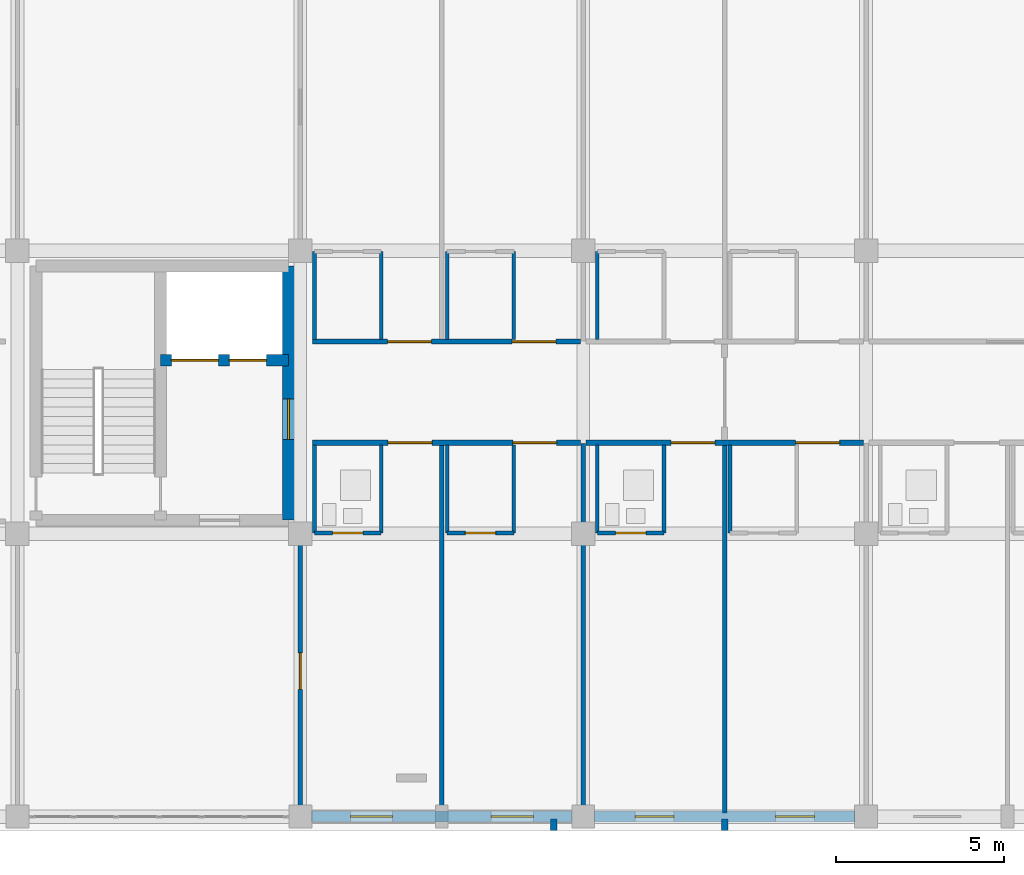
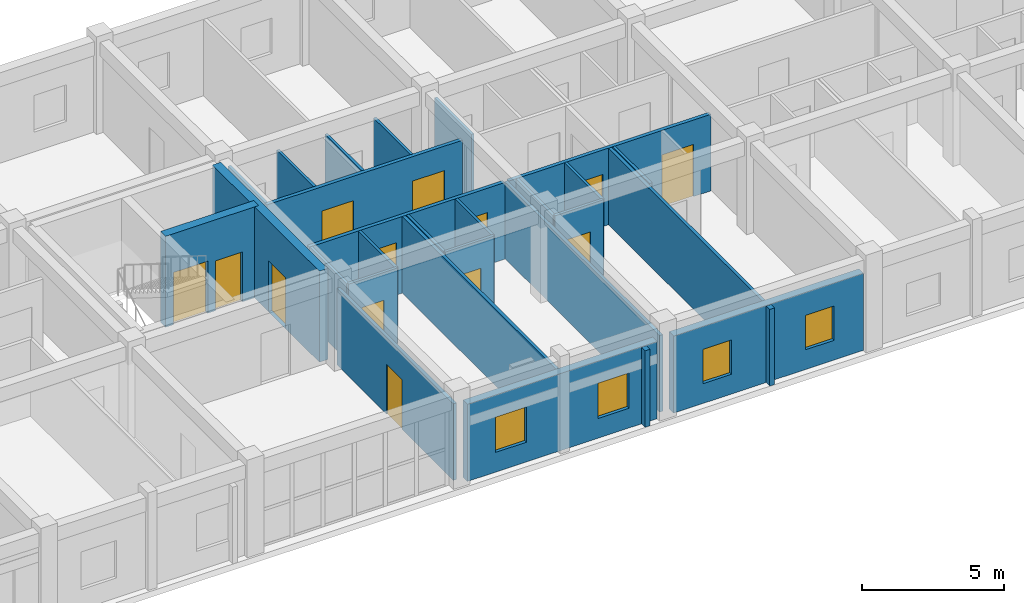
# One storey, part 108 of 140: 28 walls, 13 doors, 4 windows, 17 openings.
"""IFC4 building model written with IfcOpenShell, lengths in metres."""

from ifc_helpers import new_model, si_unit, direction, frame, frame_2d, origin, place, context, subcontext, project, spatial, rectangle, extrude, material, layer, layer_set, type_object, element, fill, save


model = new_model("IFC4")

# Units and contexts
model_context = context("Model", 3, precision=1e-05, world=origin(), true_north=direction((0.0, 1.0)))
body_context = subcontext(model_context, "Body", "Model", "MODEL_VIEW")
ifc_project = project(units=[si_unit("LENGTHUNIT", "METRE"), si_unit("AREAUNIT", "SQUARE_METRE"), si_unit("VOLUMEUNIT", "CUBIC_METRE"), si_unit("PLANEANGLEUNIT", "RADIAN"), si_unit("MASSUNIT", "GRAM", prefix="KILO")], contexts=[model_context])

# Site, building, storey
site_placement = place(None, origin())
site = spatial("IfcSite", under=ifc_project, at=site_placement, CompositionType="ELEMENT")
building_placement = place(site_placement, origin())
building = spatial("IfcBuilding", under=site, at=building_placement, Name="Trelvath General Hospital", CompositionType="ELEMENT")
storey_placement = place(building_placement, frame((0.0, 0.0, 16.199951171875)))
storey = spatial("IfcBuildingStorey", under=building, at=storey_placement, Name="L04", CompositionType="ELEMENT", Elevation=16.199951171875)

# Walls
ifc_material_1 = material(Name="Precast concrete C40/50", Category="concrete")
ifc_layer_1 = layer(ifc_material_1, 0.199951171875)
ifc_layer_set_1 = layer_set([ifc_layer_1], Name="Precast concrete C40/50")
wall_type_1 = type_object("IfcWallType", Name="BriseSoleilRib 200", PredefinedType="ELEMENTEDWALL", material=ifc_layer_set_1)
for number, where, z_axis, x_axis, name in (
    (1, (57.923828125, -0.074951171875, 0.0), (0.0, 0.0, 1.0), (0.0, -1.0, 0.0), "Precast Concrete Brise-Soleil Rib Fin L04-322"),
    (2, (63.0, -0.074951171875, 0.0), (0.0, 0.0, 1.0), (0.0, -1.0, 0.0), "Precast Concrete Brise-Soleil Rib Fin L04-326"),
):
    element("IfcWall", number, at=place(storey_placement, frame(where, z_axis=z_axis, x_axis=x_axis)), inside=storey, type_object=wall_type_1, Name=name, PredefinedType="ELEMENTEDWALL", context=body_context, shape_type="SweptSolid", body=[
        extrude(rectangle(XDim=0.340087890625, YDim=0.199951171875, at=frame_2d((0.169921875, 0.0))), origin(), (0.0, 0.0, 1.0), 3.300048828125),
    ])

# Wall, openings, doors
ifc_material_2 = material(Name="Gypsum acoustic steel-stud partition", Category="steel")
ifc_layer_2 = layer(ifc_material_2, 0.14990234375)
ifc_layer_set_2 = layer_set([ifc_layer_2], Name="Gypsum acoustic steel-stud partition")
wall_type_2 = type_object("IfcWallType", Name="ClinicalPartition 150", PredefinedType="PARTITIONING", material=ifc_layer_set_2)
wall_1_placement = place(storey_placement, frame((50.760009765625, 11.10009765625, 0.0), z_axis=(0.0, 0.0, 1.0), x_axis=(1.0, 0.0, 0.0)))
wall_1 = element("IfcWall", 3, at=wall_1_placement, inside=storey, type_object=wall_type_2, Name="Corridor Partition L04-1447", PredefinedType="PARTITIONING", context=body_context, shape_type="SweptSolid", body=[
    extrude(rectangle(XDim=7.9599609375, YDim=0.14990234375, at=frame_2d((3.97998046875, 0.0))), origin(), (0.0, 0.0, 1.0), 3.300048828125),
])
opening_1_placement = place(wall_1_placement, frame((2.25, 0.0, 0.0)))
opening_1 = element("IfcOpeningElement", 4, at=opening_1_placement, cuts=wall_1, Name="Opening D-4-1014", PredefinedType="OPENING", context=body_context, shape_type="SweptSolid", body=[
    extrude(rectangle(XDim=1.300048828125, YDim=2.25, at=frame_2d((0.64990234375, 1.125))), frame((0.0, 0.0849609375, 0.0), z_axis=(0.0, -1.0, 0.0), x_axis=(1.0, 0.0, 0.0)), (0.0, 0.0, 1.0), 0.169921875),
])
opening_2_placement = place(wall_1_placement, frame((5.949951171875, 0.0, 0.0)))
opening_2 = element("IfcOpeningElement", 5, at=opening_2_placement, cuts=wall_1, Name="Opening D-4-1015", PredefinedType="OPENING", context=body_context, shape_type="SweptSolid", body=[
    extrude(rectangle(XDim=1.300048828125, YDim=2.25, at=frame_2d((0.64990234375, 1.125))), frame((0.0, 0.0849609375, 0.0), z_axis=(0.0, -1.0, 0.0), x_axis=(1.0, 0.0, 0.0)), (0.0, 0.0, 1.0), 0.169921875),
])
ifc_material_3 = material(Name="Hospital bed-leaf timber door", Category="wood")
door_type_1 = type_object("IfcDoorType", Name="Door PatientBed 1300x2250", OperationType="NOTDEFINED", PredefinedType="DOOR", material=ifc_material_3)
door_1_placement = place(opening_1_placement, origin())
door_1 = element("IfcDoor", 6, at=door_1_placement, inside=storey, type_object=door_type_1, Name="Patient Room Door L04-1014", OperationType="SINGLE_SWING_RIGHT", OverallHeight=2.25, OverallWidth=1.300048828125, PredefinedType="DOOR", context=body_context, shape_type="SweptSolid", body=[
    extrude(rectangle(XDim=1.300048828125, YDim=2.25, at=frame_2d((0.64990234375, 1.125))), frame((0.0, 0.02490234375, 0.0), z_axis=(0.0, -1.0, 0.0), x_axis=(1.0, 0.0, 0.0)), (0.0, 0.0, 1.0), 0.050048828125),
])
fill(opening_1, door_1)
door_2_placement = place(opening_2_placement, origin())
door_2 = element("IfcDoor", 7, at=door_2_placement, inside=storey, type_object=door_type_1, Name="Patient Room Door L04-1015", OperationType="SINGLE_SWING_LEFT", OverallHeight=2.25, OverallWidth=1.300048828125, PredefinedType="DOOR", context=body_context, shape_type="SweptSolid", body=[
    extrude(rectangle(XDim=1.300048828125, YDim=2.25, at=frame_2d((0.64990234375, 1.125))), frame((0.0, 0.02490234375, 0.0), z_axis=(0.0, -1.0, 0.0), x_axis=(1.0, 0.0, 0.0)), (0.0, 0.0, 1.0), 0.050048828125),
])
fill(opening_2, door_2)

wall_2_placement = place(storey_placement, frame((58.719970703125, 14.10009765625, 0.0), z_axis=(0.0, 0.0, 1.0), x_axis=(-1.0, 0.0, 0.0)))
wall_2 = element("IfcWall", 8, at=wall_2_placement, inside=storey, type_object=wall_type_2, Name="Corridor Partition N L04-1456", PredefinedType="PARTITIONING", context=body_context, shape_type="SweptSolid", body=[
    extrude(rectangle(XDim=7.9599609375, YDim=0.14990234375, at=frame_2d((3.97998046875, 0.0))), origin(), (0.0, 0.0, 1.0), 3.300048828125),
])
opening_3_placement = place(wall_2_placement, frame((0.72998046875, 0.0, 0.0)))
opening_3 = element("IfcOpeningElement", 9, at=opening_3_placement, cuts=wall_2, Name="Opening D-4-1018", PredefinedType="OPENING", context=body_context, shape_type="SweptSolid", body=[
    extrude(rectangle(XDim=1.300048828125, YDim=2.25, at=frame_2d((0.64990234375, 1.125))), frame((0.0, 0.0849609375, 0.0), z_axis=(0.0, -1.0, 0.0), x_axis=(1.0, 0.0, 0.0)), (0.0, 0.0, 1.0), 0.169921875),
])
opening_4_placement = place(wall_2_placement, frame((4.429931640625, 0.0, 0.0)))
opening_4 = element("IfcOpeningElement", 10, at=opening_4_placement, cuts=wall_2, Name="Opening D-4-1019", PredefinedType="OPENING", context=body_context, shape_type="SweptSolid", body=[
    extrude(rectangle(XDim=1.300048828125, YDim=2.25, at=frame_2d((0.64990234375, 1.125))), frame((0.0, 0.0849609375, 0.0), z_axis=(0.0, -1.0, 0.0), x_axis=(1.0, 0.0, 0.0)), (0.0, 0.0, 1.0), 0.169921875),
])
door_3_placement = place(opening_3_placement, origin())
door_3 = element("IfcDoor", 11, at=door_3_placement, inside=storey, type_object=door_type_1, Name="Patient Room Door N L04-1018", OperationType="SINGLE_SWING_RIGHT", OverallHeight=2.25, OverallWidth=1.300048828125, PredefinedType="DOOR", context=body_context, shape_type="SweptSolid", body=[
    extrude(rectangle(XDim=1.300048828125, YDim=2.25, at=frame_2d((0.64990234375, 1.125))), frame((0.0, 0.02490234375, 0.0), z_axis=(0.0, -1.0, 0.0), x_axis=(1.0, 0.0, 0.0)), (0.0, 0.0, 1.0), 0.050048828125),
])
fill(opening_3, door_3)
door_4_placement = place(opening_4_placement, origin())
door_4 = element("IfcDoor", 12, at=door_4_placement, inside=storey, type_object=door_type_1, Name="Patient Room Door N L04-1019", OperationType="SINGLE_SWING_RIGHT", OverallHeight=2.25, OverallWidth=1.300048828125, PredefinedType="DOOR", context=body_context, shape_type="SweptSolid", body=[
    extrude(rectangle(XDim=1.300048828125, YDim=2.25, at=frame_2d((0.64990234375, 1.125))), frame((0.0, 0.02490234375, 0.0), z_axis=(0.0, -1.0, 0.0), x_axis=(1.0, 0.0, 0.0)), (0.0, 0.0, 1.0), 0.050048828125),
])
fill(opening_4, door_4)

wall_3_placement = place(storey_placement, frame((58.8798828125, 11.10009765625, 0.0), z_axis=(0.0, 0.0, 1.0), x_axis=(1.0, 0.0, 0.0)))
wall_3 = element("IfcWall", 13, at=wall_3_placement, inside=storey, type_object=wall_type_2, Name="Corridor Partition L04-1466", PredefinedType="PARTITIONING", context=body_context, shape_type="SweptSolid", body=[
    extrude(rectangle(XDim=8.240234375, YDim=0.14990234375, at=frame_2d((4.1201171875, 0.0))), origin(), (0.0, 0.0, 1.0), 3.300048828125),
])
opening_5_placement = place(wall_3_placement, frame((2.530029296875, 0.0, 0.0)))
opening_5 = element("IfcOpeningElement", 14, at=opening_5_placement, cuts=wall_3, Name="Opening D-4-1022", PredefinedType="OPENING", context=body_context, shape_type="SweptSolid", body=[
    extrude(rectangle(XDim=1.300048828125, YDim=2.25, at=frame_2d((0.64990234375, 1.125))), frame((0.0, 0.0849609375, 0.0), z_axis=(0.0, -1.0, 0.0), x_axis=(1.0, 0.0, 0.0)), (0.0, 0.0, 1.0), 0.169921875),
])
opening_6_placement = place(wall_3_placement, frame((6.22998046875, 0.0, 0.0)))
opening_6 = element("IfcOpeningElement", 15, at=opening_6_placement, cuts=wall_3, Name="Opening D-4-1023", PredefinedType="OPENING", context=body_context, shape_type="SweptSolid", body=[
    extrude(rectangle(XDim=1.300048828125, YDim=2.25, at=frame_2d((0.64990234375, 1.125))), frame((0.0, 0.0849609375, 0.0), z_axis=(0.0, -1.0, 0.0), x_axis=(1.0, 0.0, 0.0)), (0.0, 0.0, 1.0), 0.169921875),
])
door_5_placement = place(opening_5_placement, origin())
door_5 = element("IfcDoor", 16, at=door_5_placement, inside=storey, type_object=door_type_1, Name="Patient Room Door L04-1022", OperationType="SINGLE_SWING_LEFT", OverallHeight=2.25, OverallWidth=1.300048828125, PredefinedType="DOOR", context=body_context, shape_type="SweptSolid", body=[
    extrude(rectangle(XDim=1.300048828125, YDim=2.25, at=frame_2d((0.64990234375, 1.125))), frame((0.0, 0.02490234375, 0.0), z_axis=(0.0, -1.0, 0.0), x_axis=(1.0, 0.0, 0.0)), (0.0, 0.0, 1.0), 0.050048828125),
])
fill(opening_5, door_5)
door_6_placement = place(opening_6_placement, origin())
door_6 = element("IfcDoor", 17, at=door_6_placement, inside=storey, type_object=door_type_1, Name="Patient Room Door L04-1023", OperationType="SINGLE_SWING_RIGHT", OverallHeight=2.25, OverallWidth=1.300048828125, PredefinedType="DOOR", context=body_context, shape_type="SweptSolid", body=[
    extrude(rectangle(XDim=1.300048828125, YDim=2.25, at=frame_2d((0.64990234375, 1.125))), frame((0.0, 0.02490234375, 0.0), z_axis=(0.0, -1.0, 0.0), x_axis=(1.0, 0.0, 0.0)), (0.0, 0.0, 1.0), 0.050048828125),
])
fill(opening_6, door_6)

# Wall, opening, door
ifc_material_4 = material(Name="Concrete C40/50", Category="concrete")
ifc_layer_3 = layer(ifc_material_4, 0.35009765625)
ifc_layer_set_3 = layer_set([ifc_layer_3], Name="Concrete C40/50")
wall_type_3 = type_object("IfcWallType", Name="CoreShearWall 350", PredefinedType="SHEAR", material=ifc_layer_set_3)
wall_4_placement = place(storey_placement, frame((50.050048828125, 8.800048828125, 0.0), z_axis=(0.0, 0.0, 1.0), x_axis=(0.0, 1.0, 0.0)))
wall_4 = element("IfcWall", 18, at=wall_4_placement, inside=storey, type_object=wall_type_3, Name="Core Shear Wall C4 E L04", PredefinedType="SHEAR", context=body_context, shape_type="SweptSolid", body=[
    extrude(rectangle(XDim=7.550048828125, YDim=0.35009765625, at=frame_2d((3.77490234375, 0.0))), origin(), (0.0, 0.0, 1.0), 3.920166015625),
])
opening_7_placement = place(wall_4_placement, frame((2.39990234375, 0.0, 0.0)))
opening_7 = element("IfcOpeningElement", 19, at=opening_7_placement, cuts=wall_4, Name="Opening FD-LE44", PredefinedType="OPENING", context=body_context, shape_type="SweptSolid", body=[
    extrude(rectangle(XDim=1.199951171875, YDim=2.199951171875, at=frame_2d((0.60009765625, 1.10009765625))), frame((0.0, 0.18505859375, 0.0), z_axis=(0.0, -1.0, 0.0), x_axis=(1.0, 0.0, 0.0)), (0.0, 0.0, 1.0), 0.3701171875),
])
ifc_material_5 = material(Name="Fire-rated steel door", Category="steel")
door_type_2 = type_object("IfcDoorType", Name="Door FireLobby 1200x2200", OperationType="NOTDEFINED", PredefinedType="DOOR", material=ifc_material_5)
door_7_placement = place(opening_7_placement, origin())
door_7 = element("IfcDoor", 20, at=door_7_placement, inside=storey, type_object=door_type_2, Name="Fire Lobby East Corridor Door C4 L04", OperationType="SINGLE_SWING_RIGHT", OverallHeight=2.199951171875, OverallWidth=1.199951171875, PredefinedType="DOOR", context=body_context, shape_type="SweptSolid", body=[
    extrude(rectangle(XDim=1.199951171875, YDim=2.199951171875, at=frame_2d((0.60009765625, 1.10009765625))), frame((0.0, 0.02490234375, 0.0), z_axis=(0.0, -1.0, 0.0), x_axis=(1.0, 0.0, 0.0)), (0.0, 0.0, 1.0), 0.050048828125),
])
fill(opening_7, door_7)

# Wall, openings, doors
wall_5_placement = place(storey_placement, frame((46.25, 13.550048828125, 0.0), z_axis=(0.0, 0.0, 1.0), x_axis=(1.0, 0.0, 0.0)))
wall_5 = element("IfcWall", 21, at=wall_5_placement, inside=storey, type_object=wall_type_3, Name="Core Shear Wall C4 SHAFT L04", PredefinedType="SHEAR", context=body_context, shape_type="SweptSolid", body=[
    extrude(rectangle(XDim=3.800048828125, YDim=0.35009765625, at=frame_2d((1.89990234375, 0.0))), origin(), (0.0, 0.0, 1.0), 3.920166015625),
])
opening_8_placement = place(wall_5_placement, frame((0.320068359375, 0.0, 0.0)))
opening_8 = element("IfcOpeningElement", 22, at=opening_8_placement, cuts=wall_5, Name="Opening LD-BD3-4", PredefinedType="OPENING", context=body_context, shape_type="SweptSolid", body=[
    extrude(rectangle(XDim=1.39990234375, YDim=2.25, at=frame_2d((0.699951171875, 1.125))), frame((0.0, 0.18505859375, 0.0), z_axis=(0.0, -1.0, 0.0), x_axis=(1.0, 0.0, 0.0)), (0.0, 0.0, 1.0), 0.3701171875),
])
opening_9_placement = place(wall_5_placement, frame((2.0400390625, 0.0, 0.0)))
opening_9 = element("IfcOpeningElement", 23, at=opening_9_placement, cuts=wall_5, Name="Opening LD-PA1-4", PredefinedType="OPENING", context=body_context, shape_type="SweptSolid", body=[
    extrude(rectangle(XDim=1.10009765625, YDim=2.14990234375, at=frame_2d((0.550048828125, 1.074951171875))), frame((0.0, 0.18505859375, 0.0), z_axis=(0.0, -1.0, 0.0), x_axis=(1.0, 0.0, 0.0)), (0.0, 0.0, 1.0), 0.3701171875),
])
ifc_material_6 = material(Name="Stainless steel stretcher lift landing door", Category="steel")
door_type_3 = type_object("IfcDoorType", Name="Door LiftBed 1400x2250", OperationType="SLIDING_TO_LEFT", PredefinedType="DOOR", material=ifc_material_6)
door_8_placement = place(opening_8_placement, origin())
door_8 = element("IfcDoor", 24, at=door_8_placement, inside=storey, type_object=door_type_3, Name="Lift Landing Sliding Door LF-BD3 L04", OperationType="SLIDING_TO_LEFT", OverallHeight=2.25, OverallWidth=1.39990234375, PredefinedType="DOOR", context=body_context, shape_type="SweptSolid", body=[
    extrude(rectangle(XDim=1.39990234375, YDim=2.25, at=frame_2d((0.699951171875, 1.125))), frame((0.0, 0.02490234375, 0.0), z_axis=(0.0, -1.0, 0.0), x_axis=(1.0, 0.0, 0.0)), (0.0, 0.0, 1.0), 0.050048828125),
])
fill(opening_8, door_8)
ifc_material_7 = material(Name="Stainless steel lift landing sliding door", Category="steel")
door_type_4 = type_object("IfcDoorType", Name="Door LiftLanding 1100x2150", OperationType="SLIDING_TO_LEFT", PredefinedType="DOOR", material=ifc_material_7)
door_9_placement = place(opening_9_placement, origin())
door_9 = element("IfcDoor", 25, at=door_9_placement, inside=storey, type_object=door_type_4, Name="Lift Landing Sliding Door LF-PA1 L04", OperationType="SLIDING_TO_LEFT", OverallHeight=2.14990234375, OverallWidth=1.10009765625, PredefinedType="DOOR", context=body_context, shape_type="SweptSolid", body=[
    extrude(rectangle(XDim=1.10009765625, YDim=2.14990234375, at=frame_2d((0.550048828125, 1.074951171875))), frame((0.0, 0.02490234375, 0.0), z_axis=(0.0, -1.0, 0.0), x_axis=(1.0, 0.0, 0.0)), (0.0, 0.0, 1.0), 0.050048828125),
])
fill(opening_9, door_9)

# Walls
ifc_material_8 = material(Name="Moisture-resistant tile partition")
ifc_layer_4 = layer(ifc_material_8, 0.110107421875)
ifc_layer_set_4 = layer_set([ifc_layer_4], Name="Moisture-resistant tile partition")
wall_type_4 = type_object("IfcWallType", Name="EnSuiteWetWall 110", PredefinedType="PARTITIONING", material=ifc_layer_set_4)
for number, where, z_axis, x_axis, name in (
    (26, (50.820068359375, 8.419921875, 0.0), (0.0, 0.0, 1.0), (0.0, 1.0, 0.0), "En-Suite W Wall L04-1449"),
    (27, (52.800048828125, 8.419921875, 0.0), (0.0, 0.0, 1.0), (0.0, 1.0, 0.0), "En-Suite E Wall L04-1450"),
):
    element("IfcWall", number, at=place(storey_placement, frame(where, z_axis=z_axis, x_axis=x_axis)), inside=storey, type_object=wall_type_4, Name=name, PredefinedType="PARTITIONING", context=body_context, shape_type="SweptSolid", body=[
        extrude(rectangle(XDim=2.610107421875, YDim=0.110107421875, at=frame_2d((1.30517578125, 0.0))), origin(), (0.0, 0.0, 1.0), 3.300048828125),
    ])

# Wall, opening, door
wall_6_placement = place(storey_placement, frame((50.820068359375, 8.419921875, 0.0), z_axis=(0.0, 0.0, 1.0), x_axis=(1.0, 0.0, 0.0)))
wall_6 = element("IfcWall", 28, at=wall_6_placement, inside=storey, type_object=wall_type_4, Name="En-Suite Bathroom Partition L04-1451", PredefinedType="PARTITIONING", context=body_context, shape_type="SweptSolid", body=[
    extrude(rectangle(XDim=1.97998046875, YDim=0.110107421875, at=frame_2d((0.989990234375, 0.0))), origin(), (0.0, 0.0, 1.0), 3.300048828125),
])
opening_10_placement = place(wall_6_placement, frame((0.5400390625, 0.0, 0.0)))
opening_10 = element("IfcOpeningElement", 29, at=opening_10_placement, cuts=wall_6, Name="Opening D-4-1016", PredefinedType="OPENING", context=body_context, shape_type="SweptSolid", body=[
    extrude(rectangle(XDim=0.89990234375, YDim=2.10009765625, at=frame_2d((0.449951171875, 1.050048828125))), frame((0.0, 0.06494140625, 0.0), z_axis=(0.0, -1.0, 0.0), x_axis=(1.0, 0.0, 0.0)), (0.0, 0.0, 1.0), 0.130126953125),
])
ifc_material_9 = material(Name="Moisture-sealed timber leaf", Category="wood")
door_type_5 = type_object("IfcDoorType", Name="Door EnSuite 900x2100", OperationType="NOTDEFINED", PredefinedType="DOOR", material=ifc_material_9)
door_10_placement = place(opening_10_placement, origin())
door_10 = element("IfcDoor", 30, at=door_10_placement, inside=storey, type_object=door_type_5, Name="En-Suite Bathroom Door L04-1016", OperationType="SINGLE_SWING_RIGHT", OverallHeight=2.10009765625, OverallWidth=0.89990234375, PredefinedType="DOOR", context=body_context, shape_type="SweptSolid", body=[
    extrude(rectangle(XDim=0.89990234375, YDim=2.10009765625, at=frame_2d((0.449951171875, 1.050048828125))), frame((0.0, 0.02490234375, 0.0), z_axis=(0.0, -1.0, 0.0), x_axis=(1.0, 0.0, 0.0)), (0.0, 0.0, 1.0), 0.050048828125),
])
fill(opening_10, door_10)

# Walls
for number, where, z_axis, x_axis, name in (
    (31, (54.760009765625, 8.419921875, 0.0), (0.0, 0.0, 1.0), (0.0, 1.0, 0.0), "En-Suite W Wall L04-1452"),
    (32, (56.739990234375, 8.419921875, 0.0), (0.0, 0.0, 1.0), (0.0, 1.0, 0.0), "En-Suite E Wall L04-1453"),
):
    element("IfcWall", number, at=place(storey_placement, frame(where, z_axis=z_axis, x_axis=x_axis)), inside=storey, type_object=wall_type_4, Name=name, PredefinedType="PARTITIONING", context=body_context, shape_type="SweptSolid", body=[
        extrude(rectangle(XDim=2.610107421875, YDim=0.110107421875, at=frame_2d((1.30517578125, 0.0))), origin(), (0.0, 0.0, 1.0), 3.300048828125),
    ])

# Wall, opening, door
wall_7_placement = place(storey_placement, frame((54.760009765625, 8.419921875, 0.0), z_axis=(0.0, 0.0, 1.0), x_axis=(1.0, 0.0, 0.0)))
wall_7 = element("IfcWall", 33, at=wall_7_placement, inside=storey, type_object=wall_type_4, Name="En-Suite Bathroom Partition L04-1454", PredefinedType="PARTITIONING", context=body_context, shape_type="SweptSolid", body=[
    extrude(rectangle(XDim=1.97998046875, YDim=0.110107421875, at=frame_2d((0.989990234375, 0.0))), origin(), (0.0, 0.0, 1.0), 3.300048828125),
])
opening_11_placement = place(wall_7_placement, frame((0.5400390625, 0.0, 0.0)))
opening_11 = element("IfcOpeningElement", 34, at=opening_11_placement, cuts=wall_7, Name="Opening D-4-1017", PredefinedType="OPENING", context=body_context, shape_type="SweptSolid", body=[
    extrude(rectangle(XDim=0.89990234375, YDim=2.10009765625, at=frame_2d((0.449951171875, 1.050048828125))), frame((0.0, 0.06494140625, 0.0), z_axis=(0.0, -1.0, 0.0), x_axis=(1.0, 0.0, 0.0)), (0.0, 0.0, 1.0), 0.130126953125),
])
door_11_placement = place(opening_11_placement, origin())
door_11 = element("IfcDoor", 35, at=door_11_placement, inside=storey, type_object=door_type_5, Name="En-Suite Bathroom Door L04-1017", OperationType="SINGLE_SWING_LEFT", OverallHeight=2.10009765625, OverallWidth=0.89990234375, PredefinedType="DOOR", context=body_context, shape_type="SweptSolid", body=[
    extrude(rectangle(XDim=0.89990234375, YDim=2.10009765625, at=frame_2d((0.449951171875, 1.050048828125))), frame((0.0, 0.02490234375, 0.0), z_axis=(0.0, -1.0, 0.0), x_axis=(1.0, 0.0, 0.0)), (0.0, 0.0, 1.0), 0.050048828125),
])
fill(opening_11, door_11)

# Walls
for number, where, z_axis, x_axis, name in (
    (36, (50.820068359375, 14.169921875, 0.0), (0.0, 0.0, 1.0), (0.0, 1.0, 0.0), "En-Suite W Wall N L04-1458"),
    (37, (52.800048828125, 14.169921875, 0.0), (0.0, 0.0, 1.0), (0.0, 1.0, 0.0), "En-Suite E Wall N L04-1459"),
    (38, (54.760009765625, 14.169921875, 0.0), (0.0, 0.0, 1.0), (0.0, 1.0, 0.0), "En-Suite W Wall N L04-1461"),
    (39, (56.739990234375, 14.169921875, 0.0), (0.0, 0.0, 1.0), (0.0, 1.0, 0.0), "En-Suite E Wall N L04-1462"),
    (40, (59.219970703125, 8.419921875, 0.0), (0.0, 0.0, 1.0), (0.0, 1.0, 0.0), "En-Suite W Wall L04-1468"),
    (41, (61.199951171875, 8.419921875, 0.0), (0.0, 0.0, 1.0), (0.0, 1.0, 0.0), "En-Suite E Wall L04-1469"),
):
    element("IfcWall", number, at=place(storey_placement, frame(where, z_axis=z_axis, x_axis=x_axis)), inside=storey, type_object=wall_type_4, Name=name, PredefinedType="PARTITIONING", context=body_context, shape_type="SweptSolid", body=[
        extrude(rectangle(XDim=2.610107421875, YDim=0.110107421875, at=frame_2d((1.30517578125, 0.0))), origin(), (0.0, 0.0, 1.0), 3.300048828125),
    ])

# Wall, opening, door
wall_8_placement = place(storey_placement, frame((59.219970703125, 8.419921875, 0.0), z_axis=(0.0, 0.0, 1.0), x_axis=(1.0, 0.0, 0.0)))
wall_8 = element("IfcWall", 42, at=wall_8_placement, inside=storey, type_object=wall_type_4, Name="En-Suite Bathroom Partition L04-1470", PredefinedType="PARTITIONING", context=body_context, shape_type="SweptSolid", body=[
    extrude(rectangle(XDim=1.97998046875, YDim=0.110107421875, at=frame_2d((0.989990234375, 0.0))), origin(), (0.0, 0.0, 1.0), 3.300048828125),
])
opening_12_placement = place(wall_8_placement, frame((0.5400390625, 0.0, 0.0)))
opening_12 = element("IfcOpeningElement", 43, at=opening_12_placement, cuts=wall_8, Name="Opening D-4-1024", PredefinedType="OPENING", context=body_context, shape_type="SweptSolid", body=[
    extrude(rectangle(XDim=0.89990234375, YDim=2.10009765625, at=frame_2d((0.449951171875, 1.050048828125))), frame((0.0, 0.06494140625, 0.0), z_axis=(0.0, -1.0, 0.0), x_axis=(1.0, 0.0, 0.0)), (0.0, 0.0, 1.0), 0.130126953125),
])
door_12_placement = place(opening_12_placement, origin())
door_12 = element("IfcDoor", 44, at=door_12_placement, inside=storey, type_object=door_type_5, Name="En-Suite Bathroom Door L04-1024", OperationType="SINGLE_SWING_LEFT", OverallHeight=2.10009765625, OverallWidth=0.89990234375, PredefinedType="DOOR", context=body_context, shape_type="SweptSolid", body=[
    extrude(rectangle(XDim=0.89990234375, YDim=2.10009765625, at=frame_2d((0.449951171875, 1.050048828125))), frame((0.0, 0.02490234375, 0.0), z_axis=(0.0, -1.0, 0.0), x_axis=(1.0, 0.0, 0.0)), (0.0, 0.0, 1.0), 0.050048828125),
])
fill(opening_12, door_12)

# Walls
for number, where, z_axis, x_axis, name in (
    (45, (63.159912109375, 8.419921875, 0.0), (0.0, 0.0, 1.0), (0.0, 1.0, 0.0), "En-Suite W Wall L04-1471"),
    (46, (59.219970703125, 14.169921875, 0.0), (0.0, 0.0, 1.0), (0.0, 1.0, 0.0), "En-Suite W Wall N L04-1476"),
):
    element("IfcWall", number, at=place(storey_placement, frame(where, z_axis=z_axis, x_axis=x_axis)), inside=storey, type_object=wall_type_4, Name=name, PredefinedType="PARTITIONING", context=body_context, shape_type="SweptSolid", body=[
        extrude(rectangle(XDim=2.610107421875, YDim=0.110107421875, at=frame_2d((1.30517578125, 0.0))), origin(), (0.0, 0.0, 1.0), 3.300048828125),
    ])

# Wall, openings, windows
ifc_material_10 = material(Name="Concrete C35/45", Category="concrete")
ifc_layer_5 = layer(ifc_material_10, 0.320068359375)
ifc_layer_set_5 = layer_set([ifc_layer_5], Name="Concrete C35/45")
wall_type_5 = type_object("IfcWallType", Name="ExtThermalWall 320", PredefinedType="SOLIDWALL", material=ifc_layer_set_5)
wall_9_placement = place(storey_placement, frame((58.465087890625, 0.0, 0.0), z_axis=(0.0, 0.0, 1.0), x_axis=(-1.0, 0.0, 0.0)))
wall_9 = element("IfcWall", 47, at=wall_9_placement, inside=storey, type_object=wall_type_5, Name="Exterior Concrete Wall L04-440", PredefinedType="SOLIDWALL", context=body_context, shape_type="SweptSolid", body=[
    extrude(rectangle(XDim=7.72998046875, YDim=0.320068359375, at=frame_2d((3.864990234375, 0.0))), origin(), (0.0, 0.0, 1.0), 3.320068359375),
])
opening_13_placement = place(wall_9_placement, frame((1.14794921875, 0.0, 0.85009765625)))
opening_13 = element("IfcOpeningElement", 48, at=opening_13_placement, cuts=wall_9, Name="Opening WN-4-729", PredefinedType="OPENING", context=body_context, shape_type="SweptSolid", body=[
    extrude(rectangle(XDim=1.260009765625, YDim=1.52001953125, at=frame_2d((0.6298828125, 0.760009765625))), frame((0.0, 0.169921875, 0.0), z_axis=(0.0, -1.0, 0.0), x_axis=(1.0, 0.0, 0.0)), (0.0, 0.0, 1.0), 0.340087890625),
])
opening_14_placement = place(wall_9_placement, frame((5.322021484375, 0.0, 0.85009765625)))
opening_14 = element("IfcOpeningElement", 49, at=opening_14_placement, cuts=wall_9, Name="Opening WN-4-730", PredefinedType="OPENING", context=body_context, shape_type="SweptSolid", body=[
    extrude(rectangle(XDim=1.260009765625, YDim=1.52001953125, at=frame_2d((0.6298828125, 0.760009765625))), frame((0.0, 0.169921875, 0.0), z_axis=(0.0, -1.0, 0.0), x_axis=(1.0, 0.0, 0.0)), (0.0, 0.0, 1.0), 0.340087890625),
])
ifc_material_11 = material(Name="Low-E laminated glass", Category="glass")
window_type_1 = type_object("IfcWindowType", Name="Window Oncology 1260x1520", PartitioningType="SINGLE_PANEL", PredefinedType="WINDOW", material=ifc_material_11)
window_1_placement = place(opening_13_placement, origin())
window_1 = element("IfcWindow", 50, at=window_1_placement, inside=storey, type_object=window_type_1, Name="Solar Reveal Window L04-729", OverallHeight=1.52001953125, OverallWidth=1.260009765625, PartitioningType="SINGLE_PANEL", PredefinedType="WINDOW", context=body_context, shape_type="SweptSolid", body=[
    extrude(rectangle(XDim=1.260009765625, YDim=1.52001953125, at=frame_2d((0.6298828125, 0.760009765625))), frame((0.0, 0.030029296875, 0.0), z_axis=(0.0, -1.0, 0.0), x_axis=(1.0, 0.0, 0.0)), (0.0, 0.0, 1.0), 0.06005859375),
])
fill(opening_13, window_1)
window_2_placement = place(opening_14_placement, origin())
window_2 = element("IfcWindow", 51, at=window_2_placement, inside=storey, type_object=window_type_1, Name="Solar Reveal Window L04-730", OverallHeight=1.52001953125, OverallWidth=1.260009765625, PartitioningType="SINGLE_PANEL", PredefinedType="WINDOW", context=body_context, shape_type="SweptSolid", body=[
    extrude(rectangle(XDim=1.260009765625, YDim=1.52001953125, at=frame_2d((0.6298828125, 0.760009765625))), frame((0.0, 0.030029296875, 0.0), z_axis=(0.0, -1.0, 0.0), x_axis=(1.0, 0.0, 0.0)), (0.0, 0.0, 1.0), 0.06005859375),
])
fill(opening_14, window_2)

wall_10_placement = place(storey_placement, frame((66.864990234375, 0.0, 0.0), z_axis=(0.0, 0.0, 1.0), x_axis=(-1.0, 0.0, 0.0)))
wall_10 = element("IfcWall", 52, at=wall_10_placement, inside=storey, type_object=wall_type_5, Name="Exterior Concrete Wall L04-444", PredefinedType="SOLIDWALL", context=body_context, shape_type="SweptSolid", body=[
    extrude(rectangle(XDim=7.72998046875, YDim=0.320068359375, at=frame_2d((3.864990234375, 0.0))), origin(), (0.0, 0.0, 1.0), 3.320068359375),
])
opening_15_placement = place(wall_10_placement, frame((1.197998046875, 0.0, 0.85009765625)))
opening_15 = element("IfcOpeningElement", 53, at=opening_15_placement, cuts=wall_10, Name="Opening WN-4-737", PredefinedType="OPENING", context=body_context, shape_type="SweptSolid", body=[
    extrude(rectangle(XDim=1.159912109375, YDim=1.47998046875, at=frame_2d((0.580078125, 0.739990234375))), frame((0.0, 0.169921875, 0.0), z_axis=(0.0, -1.0, 0.0), x_axis=(1.0, 0.0, 0.0)), (0.0, 0.0, 1.0), 0.340087890625),
])
opening_16_placement = place(wall_10_placement, frame((5.3720703125, 0.0, 0.85009765625)))
opening_16 = element("IfcOpeningElement", 54, at=opening_16_placement, cuts=wall_10, Name="Opening WN-4-738", PredefinedType="OPENING", context=body_context, shape_type="SweptSolid", body=[
    extrude(rectangle(XDim=1.159912109375, YDim=1.47998046875, at=frame_2d((0.580078125, 0.739990234375))), frame((0.0, 0.169921875, 0.0), z_axis=(0.0, -1.0, 0.0), x_axis=(1.0, 0.0, 0.0)), (0.0, 0.0, 1.0), 0.340087890625),
])
ifc_material_12 = material(Name="Low-E laminated glass", Category="glass")
window_type_2 = type_object("IfcWindowType", Name="Window Cardiology 1160x1480", PartitioningType="SINGLE_PANEL", PredefinedType="WINDOW", material=ifc_material_12)
window_3_placement = place(opening_15_placement, origin())
window_3 = element("IfcWindow", 55, at=window_3_placement, inside=storey, type_object=window_type_2, Name="Solar Reveal Window L04-737", OverallHeight=1.47998046875, OverallWidth=1.159912109375, PartitioningType="SINGLE_PANEL", PredefinedType="WINDOW", context=body_context, shape_type="SweptSolid", body=[
    extrude(rectangle(XDim=1.159912109375, YDim=1.47998046875, at=frame_2d((0.580078125, 0.739990234375))), frame((0.0, 0.030029296875, 0.0), z_axis=(0.0, -1.0, 0.0), x_axis=(1.0, 0.0, 0.0)), (0.0, 0.0, 1.0), 0.06005859375),
])
fill(opening_15, window_3)
window_4_placement = place(opening_16_placement, origin())
window_4 = element("IfcWindow", 56, at=window_4_placement, inside=storey, type_object=window_type_2, Name="Solar Reveal Window L04-738", OverallHeight=1.47998046875, OverallWidth=1.159912109375, PartitioningType="SINGLE_PANEL", PredefinedType="WINDOW", context=body_context, shape_type="SweptSolid", body=[
    extrude(rectangle(XDim=1.159912109375, YDim=1.47998046875, at=frame_2d((0.580078125, 0.739990234375))), frame((0.0, 0.030029296875, 0.0), z_axis=(0.0, -1.0, 0.0), x_axis=(1.0, 0.0, 0.0)), (0.0, 0.0, 1.0), 0.06005859375),
])
fill(opening_16, window_4)

# Wall, opening, door
ifc_material_13 = material(Name="Gypsum acoustic steel-stud partition", Category="steel")
ifc_layer_6 = layer(ifc_material_13, 0.1298828125)
ifc_layer_set_6 = layer_set([ifc_layer_6], Name="Gypsum acoustic steel-stud partition")
wall_type_6 = type_object("IfcWallType", Name="WardPartition 130", PredefinedType="PARTITIONING", material=ifc_layer_set_6)
wall_11_placement = place(storey_placement, frame((50.39990234375, 0.139892578125, 0.0), z_axis=(0.0, 0.0, 1.0), x_axis=(0.0, 1.0, 0.0)))
wall_11 = element("IfcWall", 57, at=wall_11_placement, inside=storey, type_object=wall_type_6, Name="Inter-Bay Ward Partition S L04-1445", PredefinedType="PARTITIONING", context=body_context, shape_type="SweptSolid", body=[
    extrude(rectangle(XDim=8.210205078125, YDim=0.1298828125, at=frame_2d((4.10498046875, 0.0))), origin(), (0.0, 0.0, 1.0), 3.300048828125),
])
opening_17_placement = place(wall_11_placement, frame((3.639892578125, 0.0, 0.0)))
opening_17 = element("IfcOpeningElement", 58, at=opening_17_placement, cuts=wall_11, Name="Opening D-4-1012", PredefinedType="OPENING", context=body_context, shape_type="SweptSolid", body=[
    extrude(rectangle(XDim=1.080078125, YDim=2.14990234375, at=frame_2d((0.5400390625, 1.074951171875))), frame((0.0, 0.074951171875, 0.0), z_axis=(0.0, -1.0, 0.0), x_axis=(1.0, 0.0, 0.0)), (0.0, 0.0, 1.0), 0.14990234375),
])
ifc_material_14 = material(Name="Acoustic hospital timber leaf", Category="wood")
door_type_6 = type_object("IfcDoorType", Name="Door CleanSupply 1080x2150", OperationType="NOTDEFINED", PredefinedType="DOOR", material=ifc_material_14)
door_13_placement = place(opening_17_placement, origin())
door_13 = element("IfcDoor", 59, at=door_13_placement, inside=storey, type_object=door_type_6, Name="Clean Supply Connecting Door L04-1012", OperationType="SINGLE_SWING_RIGHT", OverallHeight=2.14990234375, OverallWidth=1.080078125, PredefinedType="DOOR", context=body_context, shape_type="SweptSolid", body=[
    extrude(rectangle(XDim=1.080078125, YDim=2.14990234375, at=frame_2d((0.5400390625, 1.074951171875))), frame((0.0, 0.02490234375, 0.0), z_axis=(0.0, -1.0, 0.0), x_axis=(1.0, 0.0, 0.0)), (0.0, 0.0, 1.0), 0.050048828125),
])
fill(opening_17, door_13)

# Walls
wall_12_placement = place(storey_placement, frame((54.60009765625, 0.10009765625, 0.0), z_axis=(0.0, 0.0, 1.0), x_axis=(0.0, 1.0, 0.0)))
element("IfcWall", 60, at=wall_12_placement, inside=storey, type_object=wall_type_6, Name="Room Dividing Partition S L04-1448", PredefinedType="PARTITIONING", context=body_context, shape_type="SweptSolid", body=[
    extrude(rectangle(XDim=10.929931640625, YDim=0.1298828125, at=frame_2d((5.46484375, 0.0))), origin(), (0.0, 0.0, 1.0), 3.300048828125),
])
wall_13_placement = place(storey_placement, frame((58.800048828125, 0.139892578125, 0.0), z_axis=(0.0, 0.0, 1.0), x_axis=(0.0, 1.0, 0.0)))
element("IfcWall", 61, at=wall_13_placement, inside=storey, type_object=wall_type_6, Name="Inter-Bay Ward Partition S L04-1464", PredefinedType="PARTITIONING", context=body_context, shape_type="SweptSolid", body=[
    extrude(rectangle(XDim=10.940185546875, YDim=0.1298828125, at=frame_2d((5.47021484375, 0.0))), origin(), (0.0, 0.0, 1.0), 3.300048828125),
])
wall_14_placement = place(storey_placement, frame((63.0, 0.10009765625, 0.0), z_axis=(0.0, 0.0, 1.0), x_axis=(0.0, 1.0, 0.0)))
element("IfcWall", 62, at=wall_14_placement, inside=storey, type_object=wall_type_6, Name="Room Dividing Partition S L04-1467", PredefinedType="PARTITIONING", context=body_context, shape_type="SweptSolid", body=[
    extrude(rectangle(XDim=10.929931640625, YDim=0.1298828125, at=frame_2d((5.46484375, 0.0))), origin(), (0.0, 0.0, 1.0), 3.300048828125),
])

save(model, "model.ifc")
